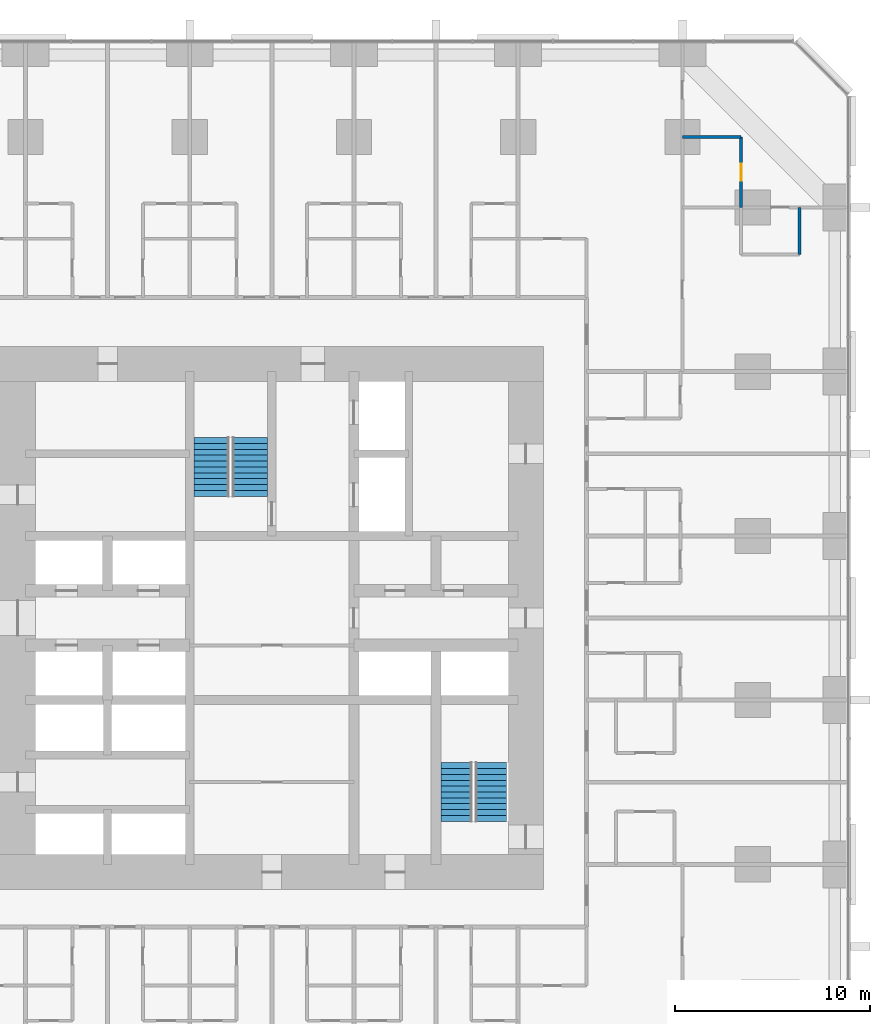
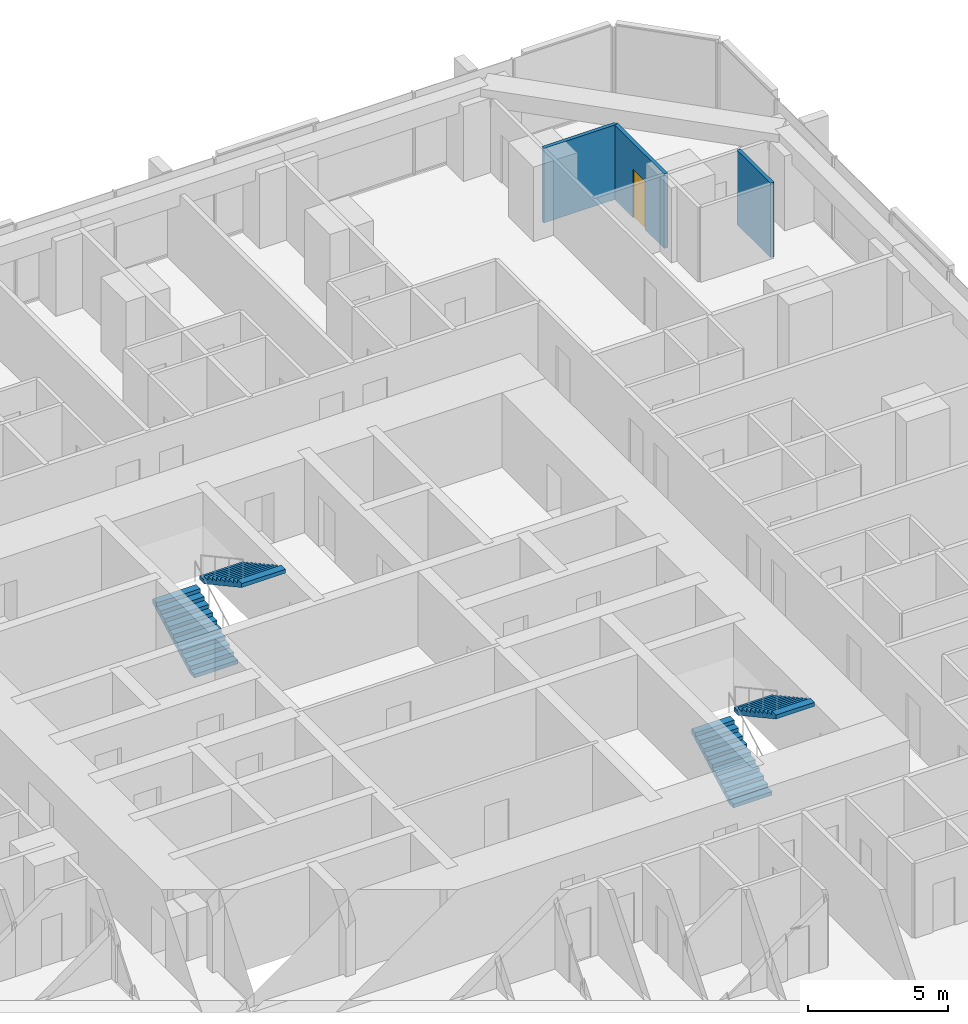
# One storey, part 17 of 18: 4 stair flights, 3 walls, 1 door, 1 opening, 2 elements without a shape of their own.
"""IFC4 building model written with IfcOpenShell, lengths in metres."""

from ifc_helpers import new_model, si_unit, direction, frame, frame_2d, origin, place, context, subcontext, project, spatial, polyline, rectangle, outline, extrude, material, layer, layer_set, type_object, element, fill, aggregate, save


model = new_model("IFC4")

# Units and contexts
model_context = context("Model", 3, precision=1e-05, world=origin(), true_north=direction((0.0, 1.0)))
body_context = subcontext(model_context, "Body", "Model", "MODEL_VIEW")
ifc_project = project(units=[si_unit("LENGTHUNIT", "METRE"), si_unit("AREAUNIT", "SQUARE_METRE"), si_unit("VOLUMEUNIT", "CUBIC_METRE"), si_unit("PLANEANGLEUNIT", "RADIAN"), si_unit("MASSUNIT", "GRAM", prefix="KILO")], contexts=[model_context])

# Site, building, storey
site_placement = place(None, origin())
site = spatial("IfcSite", under=ifc_project, at=site_placement, CompositionType="ELEMENT")
building_placement = place(site_placement, origin())
building = spatial("IfcBuilding", under=site, at=building_placement, Name="Dunama Terrace Hotel", CompositionType="ELEMENT")
storey_placement = place(building_placement, frame((0.0, 0.0, 30.60009765625)))
storey = spatial("IfcBuildingStorey", under=building, at=storey_placement, Name="L06", CompositionType="ELEMENT", Elevation=30.60009765625)

# Wall, opening, door
ifc_material_1 = material(Name="Gypsum board partition", Category="masonry")
ifc_layer_1 = layer(ifc_material_1, 0.14990234375)
ifc_layer_set_1 = layer_set([ifc_layer_1], Name="Bathroom partition 150")
wall_type_1 = type_object("IfcWallType", Name="Bathroom partition 150", PredefinedType="PARTITIONING", material=ifc_layer_set_1)
wall_1_placement = place(storey_placement, frame((53.39990234375, 50.39990234375, 0.0), z_axis=(0.0, 0.0, 1.0), x_axis=(0.0, 1.0, 0.0)))
wall_1 = element("IfcWall", 1, at=wall_1_placement, inside=storey, type_object=wall_type_1, Name="Bathroom partition 150 L06", PredefinedType="PARTITIONING", context=body_context, shape_type="SweptSolid", body=[
    extrude(rectangle(XDim=3.60009765625, YDim=0.14990234375, at=frame_2d((1.800048828125, 0.0))), origin(), (0.0, 0.0, 1.0), 3.25),
])
opening_placement = place(wall_1_placement, frame((1.375, 0.0, 0.0)))
opening = element("IfcOpeningElement", 2, at=opening_placement, cuts=wall_1, Name="Opening L06-089", PredefinedType="OPENING", context=body_context, shape_type="SweptSolid", body=[
    extrude(rectangle(XDim=0.85009765625, YDim=2.10009765625, at=frame_2d((0.425048828125, 1.050048828125))), frame((0.0, 0.0849609375, 0.0), z_axis=(0.0, -1.0, 0.0), x_axis=(1.0, 0.0, 0.0)), (0.0, 0.0, 1.0), 0.169921875),
])
ifc_material_2 = material(Name="Timber door with steel frame", Category="steel")
door_type = type_object("IfcDoorType", Name="Bathroom door 850", OperationType="SINGLE_SWING_LEFT", PredefinedType="DOOR", material=ifc_material_2)
door_placement = place(opening_placement, origin())
door = element("IfcDoor", 3, at=door_placement, inside=storey, type_object=door_type, Name="Door to en-suite bathroom L06-089, type D2", OperationType="SINGLE_SWING_LEFT", OverallHeight=2.10009765625, OverallWidth=0.85009765625, PredefinedType="DOOR", context=body_context, shape_type="SweptSolid", body=[
    extrude(rectangle(XDim=0.85009765625, YDim=2.10009765625, at=frame_2d((0.425048828125, 1.050048828125))), frame((0.0, 0.02490234375, 0.0), z_axis=(0.0, -1.0, 0.0), x_axis=(1.0, 0.0, 0.0)), (0.0, 0.0, 1.0), 0.050048828125),
])
fill(opening, door)

# Walls
wall_2_placement = place(storey_placement, frame((50.39990234375, 54.0, 0.0), z_axis=(0.0, 0.0, 1.0), x_axis=(1.0, 0.0, 0.0)))
element("IfcWall", 4, at=wall_2_placement, inside=storey, type_object=wall_type_1, Name="Bathroom partition 150 L06", PredefinedType="PARTITIONING", context=body_context, shape_type="SweptSolid", body=[
    extrude(rectangle(XDim=3.0, YDim=0.14990234375, at=frame_2d((1.5, 0.0))), origin(), (0.0, 0.0, 1.0), 3.25),
])
ifc_material_3 = material(Name="Gypsum board partition", Category="masonry")
ifc_layer_2 = layer(ifc_material_3, 0.14990234375)
ifc_layer_set_2 = layer_set([ifc_layer_2], Name="Room partition 150")
wall_type_2 = type_object("IfcWallType", Name="Room partition 150", PredefinedType="PARTITIONING", material=ifc_layer_set_2)
wall_3_placement = place(storey_placement, frame((56.39990234375, 48.0, 0.0), z_axis=(0.0, 0.0, 1.0), x_axis=(0.0, 1.0, 0.0)))
element("IfcWall", 5, at=wall_3_placement, inside=storey, type_object=wall_type_2, Name="Room partition 150 L06", PredefinedType="PARTITIONING", context=body_context, shape_type="SweptSolid", body=[
    extrude(rectangle(XDim=2.39990234375, YDim=0.14990234375, at=frame_2d((1.199951171875, 0.0))), origin(), (0.0, 0.0, 1.0), 3.25),
])

# Stair, stair flights
ifc_material_4 = material(Name="Concrete C40/50", Category="concrete")
stair_type_1 = type_object("IfcStairType", Name="Stair ST1-3600-1800", PredefinedType="HALF_TURN_STAIR", material=ifc_material_4)
stair_1_placement = place(storey_placement, origin())
stair_1 = element("IfcStair", 6, at=stair_1_placement, inside=storey, type_object=stair_type_1, Name="Stair ST1 L06", PredefinedType="HALF_TURN_STAIR")
ifc_material_5 = material(Name="Concrete C40/50", Category="concrete")
stair_flight_type_1 = type_object("IfcStairFlightType", Name="Stair flight ST1-3600-1800", PredefinedType="STRAIGHT", material=ifc_material_5)
stair_flight_1_placement = place(storey_placement, frame((26.324951171875, 35.625, 0.0), z_axis=(0.0, 0.0, 1.0), x_axis=(0.0, 1.0, 0.0)))
stair_flight_1 = element("IfcStairFlight", 7, at=stair_flight_1_placement, type_object=stair_flight_type_1, Name="ST1 flight 1", NumberOfRisers=11, NumberOfTreads=10, PredefinedType="STRAIGHT", RiserHeight=0.163636364, TreadLength=0.3, context=body_context, shape_type="SweptSolid", body=[
    extrude(outline(polyline([(0.0, 0.0), (0.0, 0.16357421875), (0.300048828125, 0.16357421875), (0.300048828125, 0.327392578125), (0.60009765625, 0.327392578125), (0.60009765625, 0.490966796875), (0.89990234375, 0.490966796875), (0.89990234375, 0.654541015625), (1.199951171875, 0.654541015625), (1.199951171875, 0.818115234375), (1.5, 0.818115234375), (1.5, 0.98193359375), (1.800048828125, 0.98193359375), (1.800048828125, 1.1455078125), (2.10009765625, 1.1455078125), (2.10009765625, 1.30908203125), (2.39990234375, 1.30908203125), (2.39990234375, 1.47265625), (2.699951171875, 1.47265625), (2.699951171875, 1.636474609375), (3.0, 1.636474609375), (3.0, 1.800048828125), (3.0, 1.465576171875), (0.31298828125, 0.0), (0.0, 0.0)])), frame((0.0, 0.89990234375, 0.0), z_axis=(0.0, -1.0, 0.0), x_axis=(1.0, 0.0, 0.0)), (0.0, 0.0, 1.0), 1.800048828125),
])
stair_flight_2_placement = place(storey_placement, frame((28.27490234375, 38.625, 1.7998046875), z_axis=(0.0, 0.0, 1.0), x_axis=(0.0, -1.0, 0.0)))
stair_flight_2 = element("IfcStairFlight", 8, at=stair_flight_2_placement, type_object=stair_flight_type_1, Name="ST1 flight 2", NumberOfRisers=11, NumberOfTreads=10, PredefinedType="STRAIGHT", RiserHeight=0.163636364, TreadLength=0.3, context=body_context, shape_type="SweptSolid", body=[
    extrude(outline(polyline([(0.0, 0.0), (0.0, 0.16357421875), (0.300048828125, 0.16357421875), (0.300048828125, 0.327392578125), (0.60009765625, 0.327392578125), (0.60009765625, 0.490966796875), (0.89990234375, 0.490966796875), (0.89990234375, 0.654541015625), (1.199951171875, 0.654541015625), (1.199951171875, 0.818115234375), (1.5, 0.818115234375), (1.5, 0.98193359375), (1.800048828125, 0.98193359375), (1.800048828125, 1.1455078125), (2.10009765625, 1.1455078125), (2.10009765625, 1.30908203125), (2.39990234375, 1.30908203125), (2.39990234375, 1.47265625), (2.699951171875, 1.47265625), (2.699951171875, 1.636474609375), (3.0, 1.636474609375), (3.0, 1.800048828125), (3.0, 1.465576171875), (0.31298828125, 0.0), (0.0, 0.0)])), frame((0.0, 0.89990234375, 0.0), z_axis=(0.0, -1.0, 0.0), x_axis=(1.0, 0.0, 0.0)), (0.0, 0.0, 1.0), 1.800048828125),
])
aggregate(stair_1, [stair_flight_1, stair_flight_2])

ifc_material_6 = material(Name="Concrete C40/50", Category="concrete")
stair_type_2 = type_object("IfcStairType", Name="Stair ST2-3600-1600", PredefinedType="HALF_TURN_STAIR", material=ifc_material_6)
stair_2_placement = place(storey_placement, origin())
stair_2 = element("IfcStair", 9, at=stair_2_placement, inside=storey, type_object=stair_type_2, Name="Stair ST2 L06", PredefinedType="HALF_TURN_STAIR")
ifc_material_7 = material(Name="Concrete C40/50", Category="concrete")
stair_flight_type_2 = type_object("IfcStairFlightType", Name="Stair flight ST2-3600-1600", PredefinedType="STRAIGHT", material=ifc_material_7)
stair_flight_3_placement = place(storey_placement, frame((38.85009765625, 19.0, 0.0), z_axis=(0.0, 0.0, 1.0), x_axis=(0.0, 1.0, 0.0)))
stair_flight_3 = element("IfcStairFlight", 10, at=stair_flight_3_placement, type_object=stair_flight_type_2, Name="ST2 flight 1", NumberOfRisers=11, NumberOfTreads=10, PredefinedType="STRAIGHT", RiserHeight=0.163636364, TreadLength=0.3, context=body_context, shape_type="SweptSolid", body=[
    extrude(outline(polyline([(0.0, 0.0), (0.0, 0.16357421875), (0.300048828125, 0.16357421875), (0.300048828125, 0.327392578125), (0.60009765625, 0.327392578125), (0.60009765625, 0.490966796875), (0.89990234375, 0.490966796875), (0.89990234375, 0.654541015625), (1.199951171875, 0.654541015625), (1.199951171875, 0.818115234375), (1.5, 0.818115234375), (1.5, 0.98193359375), (1.800048828125, 0.98193359375), (1.800048828125, 1.1455078125), (2.10009765625, 1.1455078125), (2.10009765625, 1.30908203125), (2.39990234375, 1.30908203125), (2.39990234375, 1.47265625), (2.699951171875, 1.47265625), (2.699951171875, 1.636474609375), (3.0, 1.636474609375), (3.0, 1.800048828125), (3.0, 1.465576171875), (0.31298828125, 0.0), (0.0, 0.0)])), frame((0.0, 0.800048828125, 0.0), z_axis=(0.0, -1.0, 0.0), x_axis=(1.0, 0.0, 0.0)), (0.0, 0.0, 1.0), 1.60009765625),
])
stair_flight_4_placement = place(storey_placement, frame((40.60009765625, 22.0, 1.7998046875), z_axis=(0.0, 0.0, 1.0), x_axis=(0.0, -1.0, 0.0)))
stair_flight_4 = element("IfcStairFlight", 11, at=stair_flight_4_placement, type_object=stair_flight_type_2, Name="ST2 flight 2", NumberOfRisers=11, NumberOfTreads=10, PredefinedType="STRAIGHT", RiserHeight=0.163636364, TreadLength=0.3, context=body_context, shape_type="SweptSolid", body=[
    extrude(outline(polyline([(0.0, 0.0), (0.0, 0.16357421875), (0.300048828125, 0.16357421875), (0.300048828125, 0.327392578125), (0.60009765625, 0.327392578125), (0.60009765625, 0.490966796875), (0.89990234375, 0.490966796875), (0.89990234375, 0.654541015625), (1.199951171875, 0.654541015625), (1.199951171875, 0.818115234375), (1.5, 0.818115234375), (1.5, 0.98193359375), (1.800048828125, 0.98193359375), (1.800048828125, 1.1455078125), (2.10009765625, 1.1455078125), (2.10009765625, 1.30908203125), (2.39990234375, 1.30908203125), (2.39990234375, 1.47265625), (2.699951171875, 1.47265625), (2.699951171875, 1.636474609375), (3.0, 1.636474609375), (3.0, 1.800048828125), (3.0, 1.465576171875), (0.31298828125, 0.0), (0.0, 0.0)])), frame((0.0, 0.800048828125, 0.0), z_axis=(0.0, -1.0, 0.0), x_axis=(1.0, 0.0, 0.0)), (0.0, 0.0, 1.0), 1.60009765625),
])
aggregate(stair_2, [stair_flight_3, stair_flight_4])

save(model, "model.ifc")
